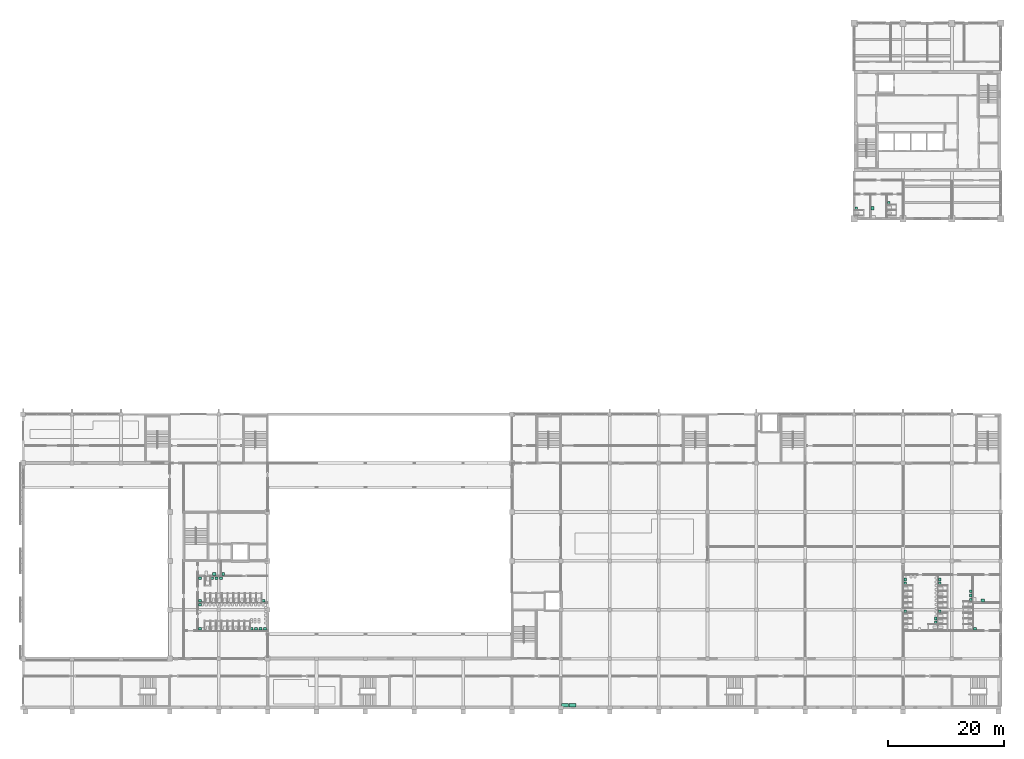
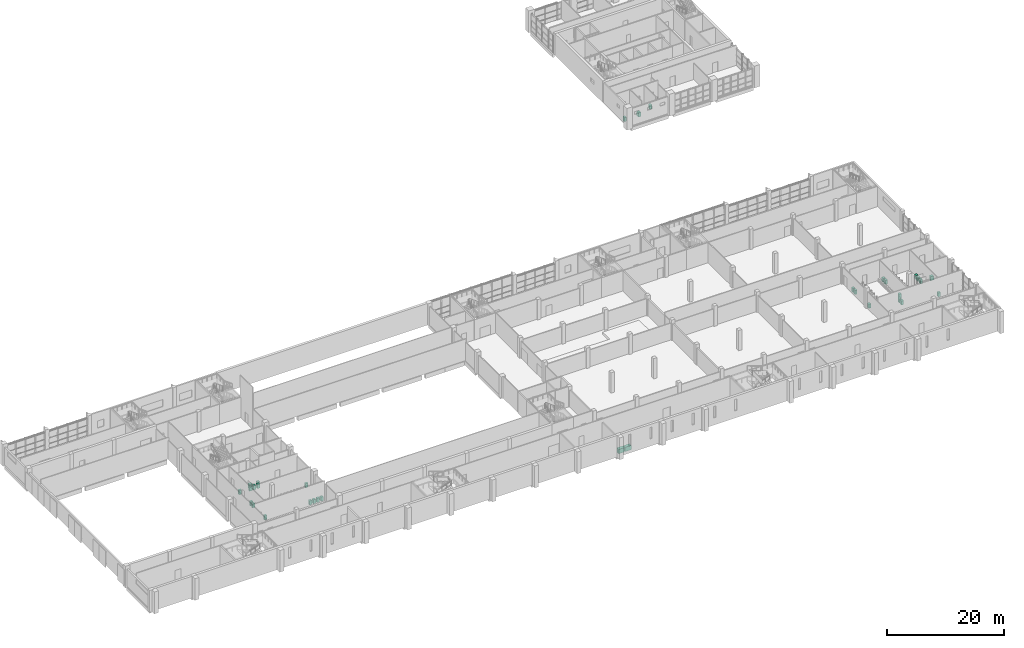
# One storey, part 61 of 64: 32 sanitary terminals.
"""IFC4 building model written with IfcOpenShell, lengths in metres."""

from ifc_helpers import new_model, si_unit, direction, frame, origin, origin_2d, place, context, subcontext, project, spatial, rectangle, extrude, material, type_object, element, save


model = new_model("IFC4")

# Units and contexts
model_context = context("Model", 3, precision=1e-05, world=origin(), true_north=direction((0.0, 1.0)))
body_context = subcontext(model_context, "Body", "Model", "MODEL_VIEW")
ifc_project = project(units=[si_unit("LENGTHUNIT", "METRE"), si_unit("AREAUNIT", "SQUARE_METRE"), si_unit("VOLUMEUNIT", "CUBIC_METRE"), si_unit("PLANEANGLEUNIT", "RADIAN"), si_unit("MASSUNIT", "GRAM", prefix="KILO")], contexts=[model_context])

# Site, building, storey
site_placement = place(None, origin())
site = spatial("IfcSite", under=ifc_project, at=site_placement, CompositionType="ELEMENT")
building_placement = place(site_placement, origin())
building = spatial("IfcBuilding", under=site, at=building_placement, Name="Rulbaag Community and Learning Centre", CompositionType="ELEMENT")
storey_placement = place(building_placement, frame((0.0, 0.0, 5.39990234375)))
storey = spatial("IfcBuildingStorey", under=building, at=storey_placement, Name="L01", CompositionType="ELEMENT", Elevation=5.39990234375)

# Sanitary terminals
ifc_material_1 = material(Name="Vitreous china", Category="ceramic")
sanitary_terminal_type_1 = type_object("IfcSanitaryTerminalType", Name="BS-500", PredefinedType="WASHHANDBASIN", material=ifc_material_1)
for number, where, z_axis, x_axis, name in (
    (1, (30.3798828125, 13.544921875, 0.0), (0.0, 0.0, 1.0), (1.0, 0.0, 0.0), "Basin 18"),
    (2, (39.280029296875, 13.544921875, 0.0), (0.0, 0.0, 1.0), (1.0, 0.0, 0.0), "Basin 19"),
    (3, (40.030029296875, 13.544921875, 0.0), (0.0, 0.0, 1.0), (1.0, 0.0, 0.0), "Basin 20"),
    (4, (40.780029296875, 13.544921875, 0.0), (0.0, 0.0, 1.0), (1.0, 0.0, 0.0), "Basin 21"),
    (5, (41.530029296875, 13.544921875, 0.0), (0.0, 0.0, 1.0), (1.0, 0.0, 0.0), "Basin 22"),
    (6, (30.3798828125, 17.655029296875, 0.0), (0.0, 0.0, 1.0), (1.0, 0.0, 0.0), "Basin 23"),
):
    element("IfcSanitaryTerminal", number, at=place(storey_placement, frame(where, z_axis=z_axis, x_axis=x_axis)), inside=storey, type_object=sanitary_terminal_type_1, Name=name, PredefinedType="WASHHANDBASIN", context=body_context, shape_type="SweptSolid", body=[
        extrude(rectangle(XDim=0.5, YDim=0.429931640625, at=origin_2d()), origin(), (0.0, 0.0, 1.0), 0.85009765625),
    ])
for number, where, z_axis, x_axis, name in (
    (7, (151.544921875, 16.530029296875, 0.0), (0.0, 0.0, 1.0), (1.0, 0.0, 0.0), "Basin 24"),
    (8, (151.544921875, 21.280029296875, 0.0), (0.0, 0.0, 1.0), (1.0, 0.0, 0.0), "Basin 25"),
    (9, (151.544921875, 22.030029296875, 0.0), (0.0, 0.0, 1.0), (1.0, 0.0, 0.0), "Basin 26"),
    (10, (156.85498046875, 14.580078125, 0.0), (0.0, 0.0, 1.0), (1.0, 0.0, 0.0), "Basin 27"),
    (11, (156.85498046875, 15.330078125, 0.0), (0.0, 0.0, 1.0), (1.0, 0.0, 0.0), "Basin 28"),
    (12, (157.544921875, 16.530029296875, 0.0), (0.0, 0.0, 1.0), (1.0, 0.0, 0.0), "Basin 29"),
    (13, (157.544921875, 21.280029296875, 0.0), (0.0, 0.0, 1.0), (1.0, 0.0, 0.0), "Basin 30"),
    (14, (157.544921875, 22.030029296875, 0.0), (0.0, 0.0, 1.0), (1.0, 0.0, 0.0), "Basin 31"),
    (15, (162.85498046875, 18.47998046875, 0.0), (0.0, 0.0, 1.0), (1.0, 0.0, 0.0), "Basin 32"),
    (16, (162.85498046875, 19.22998046875, 0.0), (0.0, 0.0, 1.0), (1.0, 0.0, 0.0), "Basin 33"),
    (17, (162.85498046875, 19.97998046875, 0.0), (0.0, 0.0, 1.0), (1.0, 0.0, 0.0), "Basin 34"),
):
    element("IfcSanitaryTerminal", number, at=place(storey_placement, frame(where, z_axis=z_axis, x_axis=x_axis)), inside=storey, type_object=sanitary_terminal_type_1, Name=name, PredefinedType="WASHHANDBASIN", context=body_context, shape_type="SweptSolid", body=[
        extrude(rectangle(XDim=0.429931640625, YDim=0.5, at=origin_2d()), origin(), (0.0, 0.0, 1.0), 0.85009765625),
    ])
for number, where, z_axis, x_axis, name in (
    (18, (30.3798828125, 18.344970703125, 0.0), (0.0, 0.0, 1.0), (1.0, 0.0, 0.0), "Basin 35"),
    (19, (41.280029296875, 18.344970703125, 0.0), (0.0, 0.0, 1.0), (1.0, 0.0, 0.0), "Basin 36"),
    (20, (30.3798828125, 22.2548828125, 0.0), (0.0, 0.0, 1.0), (1.0, 0.0, 0.0), "Basin 37"),
    (21, (32.47998046875, 22.2548828125, 0.0), (0.0, 0.0, 1.0), (1.0, 0.0, 0.0), "Basin 38"),
    (22, (33.22998046875, 22.2548828125, 0.0), (0.0, 0.0, 1.0), (1.0, 0.0, 0.0), "Basin 39"),
    (23, (33.97998046875, 22.2548828125, 0.0), (0.0, 0.0, 1.0), (1.0, 0.0, 0.0), "Basin 40"),
):
    element("IfcSanitaryTerminal", number, at=place(storey_placement, frame(where, z_axis=z_axis, x_axis=x_axis)), inside=storey, type_object=sanitary_terminal_type_1, Name=name, PredefinedType="WASHHANDBASIN", context=body_context, shape_type="SweptSolid", body=[
        extrude(rectangle(XDim=0.5, YDim=0.429931640625, at=origin_2d()), origin(), (0.0, 0.0, 1.0), 0.85009765625),
    ])
for number, where, z_axis, x_axis, name in (
    (24, (143.14501953125, 85.72998046875, 0.0), (0.0, 0.0, 1.0), (1.0, 0.0, 0.0), "Basin 66"),
    (25, (148.7451171875, 86.72998046875, 0.0), (0.0, 0.0, 1.0), (1.0, 0.0, 0.0), "Basin 67"),
):
    element("IfcSanitaryTerminal", number, at=place(storey_placement, frame(where, z_axis=z_axis, x_axis=x_axis)), inside=storey, type_object=sanitary_terminal_type_1, Name=name, PredefinedType="WASHHANDBASIN", context=body_context, shape_type="SweptSolid", body=[
        extrude(rectangle(XDim=0.429931640625, YDim=0.5, at=origin_2d()), origin(), (0.0, 0.0, 1.0), 0.85009765625),
    ])
sanitary_terminal_type_2 = type_object("IfcSanitaryTerminalType", Name="BS-AC-600", PredefinedType="WASHHANDBASIN", material=ifc_material_1)
for number, where, z_axis, x_axis, name in (
    (26, (32.830078125, 22.97998046875, 0.0), (0.0, 0.0, 1.0), (1.0, 0.0, 0.0), "Basin 41"),
    (27, (164.929931640625, 18.3798828125, 0.0), (0.0, 0.0, 1.0), (1.0, 0.0, 0.0), "Basin 42"),
):
    element("IfcSanitaryTerminal", number, at=place(storey_placement, frame(where, z_axis=z_axis, x_axis=x_axis)), inside=storey, type_object=sanitary_terminal_type_2, Name=name, PredefinedType="WASHHANDBASIN", context=body_context, shape_type="SweptSolid", body=[
        extrude(rectangle(XDim=0.60009765625, YDim=0.5, at=origin_2d()), origin(), (0.0, 0.0, 1.0), 0.85009765625),
    ])
sanitary_terminal_placement = place(storey_placement, frame((145.97998046875, 85.780029296875, 0.0), z_axis=(0.0, 0.0, 1.0), x_axis=(1.0, 0.0, 0.0)))
element("IfcSanitaryTerminal", 28, at=sanitary_terminal_placement, inside=storey, type_object=sanitary_terminal_type_2, Name="Basin 68", PredefinedType="WASHHANDBASIN", context=body_context, shape_type="SweptSolid", body=[
    extrude(rectangle(XDim=0.5, YDim=0.60009765625, at=origin_2d()), origin(), (0.0, 0.0, 1.0), 0.85009765625),
])
ifc_material_2 = material(Name="Stainless steel", Category="steel")
sanitary_terminal_type_3 = type_object("IfcSanitaryTerminalType", Name="SK-CL-500", PredefinedType="SINK", material=ifc_material_2)
for number, where, z_axis, x_axis, name in (
    (29, (34.3798828125, 22.955078125, 0.0), (0.0, 0.0, 1.0), (1.0, 0.0, 0.0), "Sink 06"),
    (30, (163.580078125, 13.554931640625, 0.0), (0.0, 0.0, 1.0), (1.0, 0.0, 0.0), "Sink 07"),
):
    element("IfcSanitaryTerminal", number, at=place(storey_placement, frame(where, z_axis=z_axis, x_axis=x_axis)), inside=storey, type_object=sanitary_terminal_type_3, Name=name, PredefinedType="SINK", context=body_context, shape_type="SweptSolid", body=[
        extrude(rectangle(XDim=0.5, YDim=0.449951171875, at=origin_2d()), origin(), (0.0, 0.0, 1.0), 0.800048828125),
    ])
sanitary_terminal_type_4 = type_object("IfcSanitaryTerminalType", Name="SK-KT-1200", PredefinedType="SINK", material=ifc_material_2)
for number, where, z_axis, x_axis, name in (
    (31, (93.1298828125, 0.429931640625, 0.000244140625), (0.0, 0.0, 1.0), (1.0, 0.0, 0.0), "Sink 03"),
    (32, (94.429931640625, 0.429931640625, 0.000244140625), (0.0, 0.0, 1.0), (1.0, 0.0, 0.0), "Sink 04"),
):
    element("IfcSanitaryTerminal", number, at=place(storey_placement, frame(where, z_axis=z_axis, x_axis=x_axis)), inside=storey, type_object=sanitary_terminal_type_4, Name=name, PredefinedType="SINK", context=body_context, shape_type="SweptSolid", body=[
        extrude(rectangle(XDim=1.199951171875, YDim=0.60009765625, at=origin_2d()), origin(), (0.0, 0.0, 1.0), 0.89990234375),
    ])

save(model, "model.ifc")
